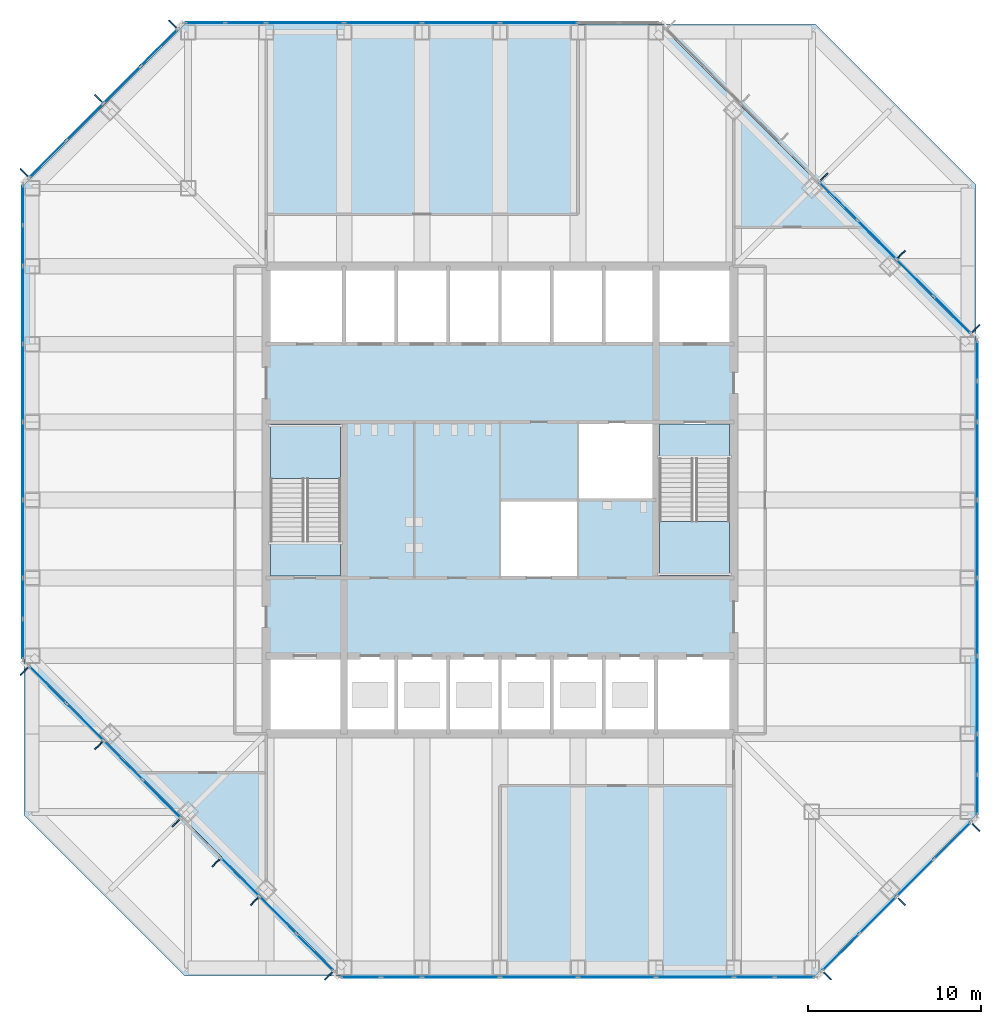
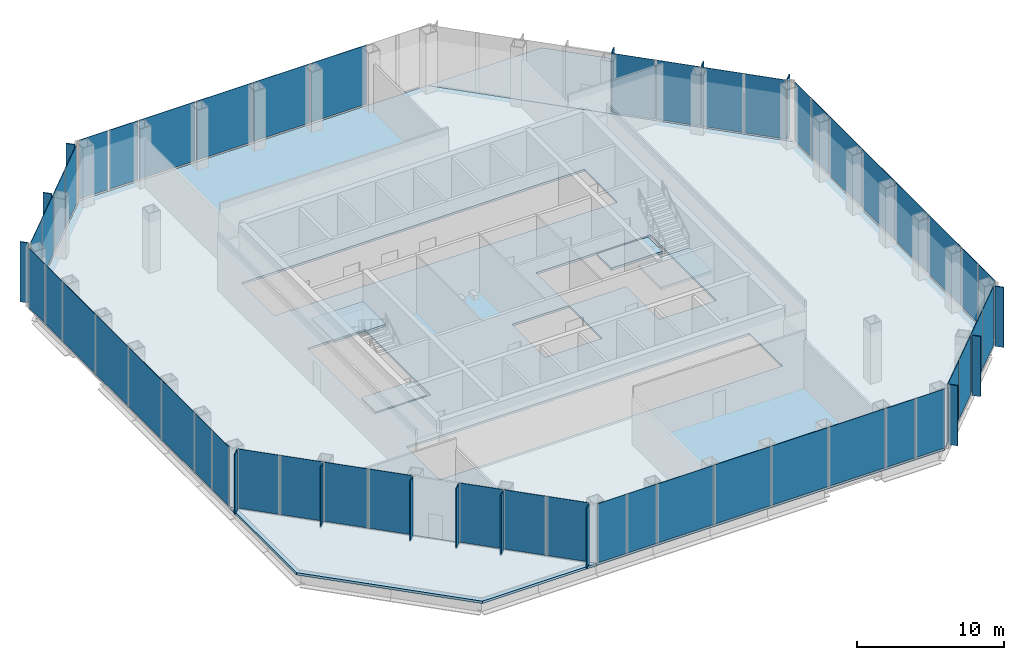
# One storey, part 6 of 12: 64 plates, 7 slabs, 11 elements without a shape of their own.
"""IFC4 building model written with IfcOpenShell, lengths in metres."""

from ifc_helpers import new_model, si_unit, direction, frame, origin, origin_2d, place, context, subcontext, project, spatial, polyline, rectangle, outline, extrude, material, layer, layer_set, type_object, element, aggregate, save


model = new_model("IFC4")

# Units and contexts
model_context = context("Model", 3, precision=1e-05, world=origin(), true_north=direction((0.0, 1.0)))
body_context = subcontext(model_context, "Body", "Model", "MODEL_VIEW")
ifc_project = project(units=[si_unit("LENGTHUNIT", "METRE"), si_unit("AREAUNIT", "SQUARE_METRE"), si_unit("VOLUMEUNIT", "CUBIC_METRE"), si_unit("PLANEANGLEUNIT", "RADIAN"), si_unit("MASSUNIT", "GRAM", prefix="KILO")], contexts=[model_context])

# Site, building, storey
site_placement = place(None, origin())
site = spatial("IfcSite", under=ifc_project, at=site_placement, CompositionType="ELEMENT")
building_placement = place(site_placement, origin())
building = spatial("IfcBuilding", under=site, at=building_placement, Name="Corais Broadcast Tower", CompositionType="ELEMENT")
storey_placement = place(building_placement, frame((0.0, 0.0, 110.60009765625)))
storey = spatial("IfcBuildingStorey", under=building, at=storey_placement, Name="L24", CompositionType="ELEMENT", Elevation=110.60009765625)

# Slab
ifc_material_1 = material(Name="Concrete C30/37", Category="concrete")
ifc_layer_1 = layer(ifc_material_1, 0.179931640625)
ifc_layer_set_1 = layer_set([ifc_layer_1], Name="Concrete C30/37")
slab_type_1 = type_object("IfcSlabType", Name="Composite floor slab 180", PredefinedType="FLOOR", material=ifc_layer_set_1)
slab_1_placement = place(storey_placement, frame((0.0, 0.0, -0.18017578125)))
element("IfcSlab", 1, at=slab_1_placement, inside=storey, type_object=slab_type_1, Name="S180 floor slab L24", PredefinedType="FLOOR", context=body_context, shape_type="SweptSolid", body=[
    extrude(outline(polyline([(17.80126953125, -0.47998046875), (-0.47998046875, 17.80126953125), (-0.47998046875, 45.19873046875), (8.80126953125, 54.47998046875), (36.19873046875, 54.47998046875), (54.47998046875, 36.19873046875), (54.47998046875, 8.80126953125), (45.19873046875, -0.47998046875), (17.80126953125, -0.47998046875)]), holes=[polyline([(13.5, 18.0), (40.5, 18.0), (40.5, 13.5), (13.5, 13.5), (13.5, 18.0)]), polyline([(13.5, 22.5), (13.5, 31.5), (18.0, 31.5), (18.0, 22.5), (13.5, 22.5)]), polyline([(13.5, 40.5), (40.5, 40.5), (40.5, 36.0), (13.5, 36.0), (13.5, 40.5)]), polyline([(27.0, 22.5), (27.0, 27.0), (31.4951171875, 27.0), (31.4951171875, 27.0048828125), (31.5, 27.0048828125), (31.5, 31.5), (40.5, 31.5), (40.5, 22.5), (36.0, 22.5), (36.0, 27.0), (31.5048828125, 27.0), (31.5048828125, 26.9951171875), (31.5, 26.9951171875), (31.5, 22.5), (27.0, 22.5)])]), origin(), (0.0, 0.0, 1.0), 0.18017578125),
])

# Curtain wall, plates
ifc_material_2 = material(Name="Aluminium and glass", Category="aluminium")
curtain_wall_type = type_object("IfcCurtainWallType", Name="Sky lobby curtain wall CW4", PredefinedType="NOTDEFINED", material=ifc_material_2)
curtain_wall_1_placement = place(storey_placement, origin())
curtain_wall_1 = element("IfcCurtainWall", 2, at=curtain_wall_1_placement, inside=storey, type_object=curtain_wall_type, Name="CW4 curtain wall L24 1", PredefinedType="NOTDEFINED")
ifc_material_3 = material(Name="Ceramic-fritted laminated glass", Category="glass")
ifc_layer_2 = layer(ifc_material_3, 0.035888671875)
ifc_layer_set_2 = layer_set([ifc_layer_2], Name="Ceramic-fritted laminated glass")
plate_type_1 = type_object("IfcPlateType", Name="Fritted glass panel CW4", PredefinedType="CURTAIN_PANEL", material=ifc_layer_set_2)
plate_1_placement = place(storey_placement, frame((16.32763671875, 0.89453125, 0.079833984375), z_axis=(0.0, 0.0, 1.0), x_axis=(-0.707106781187, 0.707106781187, 0.0)))
plate_1 = element("IfcPlate", 3, at=plate_1_placement, type_object=plate_type_1, Name="CW4 panel 1", PredefinedType="CURTAIN_PANEL", context=body_context, shape_type="SweptSolid", body=[
    extrude(rectangle(XDim=2.92578125, YDim=0.035888671875, at=origin_2d()), origin(), (0.0, 0.0, 1.0), 4.919921875),
])
plate_2_placement = place(storey_placement, frame((12.000244140625, 5.221923828125, 0.079833984375), z_axis=(0.0, 0.0, 1.0), x_axis=(-0.707106781187, 0.707106781187, 0.0)))
plate_2 = element("IfcPlate", 4, at=plate_2_placement, type_object=plate_type_1, Name="CW4 panel 3", PredefinedType="CURTAIN_PANEL", context=body_context, shape_type="SweptSolid", body=[
    extrude(rectangle(XDim=3.06201171875, YDim=0.035888671875, at=origin_2d()), origin(), (0.0, 0.0, 1.0), 4.919921875),
])

curtain_wall_2_placement = place(storey_placement, origin())
curtain_wall_2 = element("IfcCurtainWall", 5, at=curtain_wall_2_placement, inside=storey, type_object=curtain_wall_type, Name="CW4 curtain wall L24 1", PredefinedType="NOTDEFINED")
plate_3_placement = place(storey_placement, frame((7.471923828125, 9.750244140625, 0.079833984375), z_axis=(0.0, 0.0, 1.0), x_axis=(-0.707106781187, 0.707106781187, 0.0)))
plate_3 = element("IfcPlate", 6, at=plate_3_placement, type_object=plate_type_1, Name="CW4 panel 1", PredefinedType="CURTAIN_PANEL", context=body_context, shape_type="SweptSolid", body=[
    extrude(rectangle(XDim=3.06201171875, YDim=0.035888671875, at=origin_2d()), origin(), (0.0, 0.0, 1.0), 4.919921875),
])
plate_4_placement = place(storey_placement, frame((3.0341796875, 14.18798828125, 0.079833984375), z_axis=(0.0, 0.0, 1.0), x_axis=(-0.707106781187, 0.707106781187, 0.0)))
plate_4 = element("IfcPlate", 7, at=plate_4_placement, type_object=plate_type_1, Name="CW4 panel 3", PredefinedType="CURTAIN_PANEL", context=body_context, shape_type="SweptSolid", body=[
    extrude(rectangle(XDim=2.9658203125, YDim=0.035888671875, at=origin_2d()), origin(), (0.0, 0.0, 1.0), 4.919921875),
])

curtain_wall_3_placement = place(storey_placement, origin())
curtain_wall_3 = element("IfcCurtainWall", 8, at=curtain_wall_3_placement, inside=storey, type_object=curtain_wall_type, Name="CW4 curtain wall L24 2", PredefinedType="NOTDEFINED")
plate_5_placement = place(storey_placement, frame((-0.550048828125, 18.97412109375, 0.079833984375), z_axis=(0.0, 0.0, 1.0), x_axis=(0.0, 1.0, 0.0)))
plate_5 = element("IfcPlate", 9, at=plate_5_placement, type_object=plate_type_1, Name="CW4 panel 1", PredefinedType="CURTAIN_PANEL", context=body_context, shape_type="SweptSolid", body=[
    extrude(rectangle(XDim=2.243896484375, YDim=0.035888671875, at=origin_2d()), origin(), (0.0, 0.0, 1.0), 4.919921875),
])
plate_6_placement = place(storey_placement, frame((-0.550048828125, 24.75, 0.079833984375), z_axis=(0.0, 0.0, 1.0), x_axis=(0.0, 1.0, 0.0)))
plate_6 = element("IfcPlate", 10, at=plate_6_placement, type_object=plate_type_1, Name="CW4 panel 3", PredefinedType="CURTAIN_PANEL", context=body_context, shape_type="SweptSolid", body=[
    extrude(rectangle(XDim=4.419921875, YDim=0.035888671875, at=origin_2d()), origin(), (0.0, 0.0, 1.0), 4.919921875),
])
plate_7_placement = place(storey_placement, frame((-0.550048828125, 33.75, 0.079833984375), z_axis=(0.0, 0.0, 1.0), x_axis=(0.0, 1.0, 0.0)))
plate_7 = element("IfcPlate", 11, at=plate_7_placement, type_object=plate_type_1, Name="CW4 panel 5", PredefinedType="CURTAIN_PANEL", context=body_context, shape_type="SweptSolid", body=[
    extrude(rectangle(XDim=4.419921875, YDim=0.035888671875, at=origin_2d()), origin(), (0.0, 0.0, 1.0), 4.919921875),
])
plate_8_placement = place(storey_placement, frame((-0.550048828125, 41.681884765625, 0.079833984375), z_axis=(0.0, 0.0, 1.0), x_axis=(0.0, 1.0, 0.0)))
plate_8 = element("IfcPlate", 12, at=plate_8_placement, type_object=plate_type_1, Name="CW4 panel 7", PredefinedType="CURTAIN_PANEL", context=body_context, shape_type="SweptSolid", body=[
    extrude(rectangle(XDim=2.283935546875, YDim=0.035888671875, at=origin_2d()), origin(), (0.0, 0.0, 1.0), 4.919921875),
])

curtain_wall_4_placement = place(storey_placement, origin())
curtain_wall_4 = element("IfcCurtainWall", 13, at=curtain_wall_4_placement, inside=storey, type_object=curtain_wall_type, Name="CW4 curtain wall L24 3", PredefinedType="NOTDEFINED")
plate_9_placement = place(storey_placement, frame((0.89453125, 46.67236328125, 0.079833984375), z_axis=(0.0, 0.0, 1.0), x_axis=(0.707106781187, 0.707106781187, 0.0)))
plate_9 = element("IfcPlate", 14, at=plate_9_placement, type_object=plate_type_1, Name="CW4 panel 1", PredefinedType="CURTAIN_PANEL", context=body_context, shape_type="SweptSolid", body=[
    extrude(rectangle(XDim=2.92578125, YDim=0.035888671875, at=origin_2d()), origin(), (0.0, 0.0, 1.0), 4.919921875),
])
plate_10_placement = place(storey_placement, frame((5.18798828125, 50.9658203125, 0.079833984375), z_axis=(0.0, 0.0, 1.0), x_axis=(0.707106781187, 0.707106781187, 0.0)))
plate_10 = element("IfcPlate", 15, at=plate_10_placement, type_object=plate_type_1, Name="CW4 panel 3", PredefinedType="CURTAIN_PANEL", context=body_context, shape_type="SweptSolid", body=[
    extrude(rectangle(XDim=2.9658203125, YDim=0.035888671875, at=origin_2d()), origin(), (0.0, 0.0, 1.0), 4.919921875),
])

curtain_wall_5_placement = place(storey_placement, origin())
curtain_wall_5 = element("IfcCurtainWall", 16, at=curtain_wall_5_placement, inside=storey, type_object=curtain_wall_type, Name="CW4 curtain wall L24 4", PredefinedType="NOTDEFINED")
plate_11_placement = place(storey_placement, frame((9.97412109375, 54.550048828125, 0.079833984375), z_axis=(0.0, 0.0, 1.0), x_axis=(1.0, 0.0, 0.0)))
plate_11 = element("IfcPlate", 17, at=plate_11_placement, type_object=plate_type_1, Name="CW4 panel 1", PredefinedType="CURTAIN_PANEL", context=body_context, shape_type="SweptSolid", body=[
    extrude(rectangle(XDim=2.243896484375, YDim=0.035888671875, at=origin_2d()), origin(), (0.0, 0.0, 1.0), 4.919921875),
])
plate_12_placement = place(storey_placement, frame((15.75, 54.550048828125, 0.079833984375), z_axis=(0.0, 0.0, 1.0), x_axis=(1.0, 0.0, 0.0)))
plate_12 = element("IfcPlate", 18, at=plate_12_placement, type_object=plate_type_1, Name="CW4 panel 3", PredefinedType="CURTAIN_PANEL", context=body_context, shape_type="SweptSolid", body=[
    extrude(rectangle(XDim=4.419921875, YDim=0.035888671875, at=origin_2d()), origin(), (0.0, 0.0, 1.0), 4.919921875),
])
plate_13_placement = place(storey_placement, frame((24.75, 54.550048828125, 0.079833984375), z_axis=(0.0, 0.0, 1.0), x_axis=(1.0, 0.0, 0.0)))
plate_13 = element("IfcPlate", 19, at=plate_13_placement, type_object=plate_type_1, Name="CW4 panel 5", PredefinedType="CURTAIN_PANEL", context=body_context, shape_type="SweptSolid", body=[
    extrude(rectangle(XDim=4.419921875, YDim=0.035888671875, at=origin_2d()), origin(), (0.0, 0.0, 1.0), 4.919921875),
])

curtain_wall_6_placement = place(storey_placement, origin())
curtain_wall_6 = element("IfcCurtainWall", 20, at=curtain_wall_6_placement, inside=storey, type_object=curtain_wall_type, Name="CW4 curtain wall L24 5", PredefinedType="NOTDEFINED")
plate_14_placement = place(storey_placement, frame((46.528076171875, 44.249755859375, 0.079833984375), z_axis=(0.0, 0.0, 1.0), x_axis=(0.707106781187, -0.707106781187, 0.0)))
plate_14 = element("IfcPlate", 21, at=plate_14_placement, type_object=plate_type_1, Name="CW4 panel 1", PredefinedType="CURTAIN_PANEL", context=body_context, shape_type="SweptSolid", body=[
    extrude(rectangle(XDim=3.06201171875, YDim=0.035888671875, at=origin_2d()), origin(), (0.0, 0.0, 1.0), 4.919921875),
])
plate_15_placement = place(storey_placement, frame((50.9658203125, 39.81201171875, 0.079833984375), z_axis=(0.0, 0.0, 1.0), x_axis=(0.707106781187, -0.707106781187, 0.0)))
plate_15 = element("IfcPlate", 22, at=plate_15_placement, type_object=plate_type_1, Name="CW4 panel 3", PredefinedType="CURTAIN_PANEL", context=body_context, shape_type="SweptSolid", body=[
    extrude(rectangle(XDim=2.9658203125, YDim=0.035888671875, at=origin_2d()), origin(), (0.0, 0.0, 1.0), 4.919921875),
])

curtain_wall_7_placement = place(storey_placement, origin())
curtain_wall_7 = element("IfcCurtainWall", 23, at=curtain_wall_7_placement, inside=storey, type_object=curtain_wall_type, Name="CW4 curtain wall L24 6", PredefinedType="NOTDEFINED")
plate_16_placement = place(storey_placement, frame((54.550048828125, 35.02587890625, 0.079833984375), z_axis=(0.0, 0.0, 1.0), x_axis=(0.0, -1.0, 0.0)))
plate_16 = element("IfcPlate", 24, at=plate_16_placement, type_object=plate_type_1, Name="CW4 panel 1", PredefinedType="CURTAIN_PANEL", context=body_context, shape_type="SweptSolid", body=[
    extrude(rectangle(XDim=2.243896484375, YDim=0.035888671875, at=origin_2d()), origin(), (0.0, 0.0, 1.0), 4.919921875),
])
plate_17_placement = place(storey_placement, frame((54.550048828125, 29.25, 0.079833984375), z_axis=(0.0, 0.0, 1.0), x_axis=(0.0, -1.0, 0.0)))
plate_17 = element("IfcPlate", 25, at=plate_17_placement, type_object=plate_type_1, Name="CW4 panel 3", PredefinedType="CURTAIN_PANEL", context=body_context, shape_type="SweptSolid", body=[
    extrude(rectangle(XDim=4.419921875, YDim=0.035888671875, at=origin_2d()), origin(), (0.0, 0.0, 1.0), 4.919921875),
])
plate_18_placement = place(storey_placement, frame((54.550048828125, 20.25, 0.079833984375), z_axis=(0.0, 0.0, 1.0), x_axis=(0.0, -1.0, 0.0)))
plate_18 = element("IfcPlate", 26, at=plate_18_placement, type_object=plate_type_1, Name="CW4 panel 5", PredefinedType="CURTAIN_PANEL", context=body_context, shape_type="SweptSolid", body=[
    extrude(rectangle(XDim=4.419921875, YDim=0.035888671875, at=origin_2d()), origin(), (0.0, 0.0, 1.0), 4.919921875),
])
plate_19_placement = place(storey_placement, frame((54.550048828125, 12.318115234375, 0.079833984375), z_axis=(0.0, 0.0, 1.0), x_axis=(0.0, -1.0, 0.0)))
plate_19 = element("IfcPlate", 27, at=plate_19_placement, type_object=plate_type_1, Name="CW4 panel 7", PredefinedType="CURTAIN_PANEL", context=body_context, shape_type="SweptSolid", body=[
    extrude(rectangle(XDim=2.283935546875, YDim=0.035888671875, at=origin_2d()), origin(), (0.0, 0.0, 1.0), 4.919921875),
])

curtain_wall_8_placement = place(storey_placement, origin())
curtain_wall_8 = element("IfcCurtainWall", 28, at=curtain_wall_8_placement, inside=storey, type_object=curtain_wall_type, Name="CW4 curtain wall L24 7", PredefinedType="NOTDEFINED")
plate_20_placement = place(storey_placement, frame((53.10546875, 7.32763671875, 0.079833984375), z_axis=(0.0, 0.0, 1.0), x_axis=(-0.707106781187, -0.707106781187, 0.0)))
plate_20 = element("IfcPlate", 29, at=plate_20_placement, type_object=plate_type_1, Name="CW4 panel 1", PredefinedType="CURTAIN_PANEL", context=body_context, shape_type="SweptSolid", body=[
    extrude(rectangle(XDim=2.92578125, YDim=0.035888671875, at=origin_2d()), origin(), (0.0, 0.0, 1.0), 4.919921875),
])
plate_21_placement = place(storey_placement, frame((48.81201171875, 3.0341796875, 0.079833984375), z_axis=(0.0, 0.0, 1.0), x_axis=(-0.707106781187, -0.707106781187, 0.0)))
plate_21 = element("IfcPlate", 30, at=plate_21_placement, type_object=plate_type_1, Name="CW4 panel 3", PredefinedType="CURTAIN_PANEL", context=body_context, shape_type="SweptSolid", body=[
    extrude(rectangle(XDim=2.9658203125, YDim=0.035888671875, at=origin_2d()), origin(), (0.0, 0.0, 1.0), 4.919921875),
])

curtain_wall_9_placement = place(storey_placement, origin())
curtain_wall_9 = element("IfcCurtainWall", 31, at=curtain_wall_9_placement, inside=storey, type_object=curtain_wall_type, Name="CW4 curtain wall L24 8", PredefinedType="NOTDEFINED")
plate_22_placement = place(storey_placement, frame((44.02587890625, -0.550048828125, 0.079833984375), z_axis=(0.0, 0.0, 1.0), x_axis=(-1.0, 0.0, 0.0)))
plate_22 = element("IfcPlate", 32, at=plate_22_placement, type_object=plate_type_1, Name="CW4 panel 1", PredefinedType="CURTAIN_PANEL", context=body_context, shape_type="SweptSolid", body=[
    extrude(rectangle(XDim=2.243896484375, YDim=0.035888671875, at=origin_2d()), origin(), (0.0, 0.0, 1.0), 4.919921875),
])
plate_23_placement = place(storey_placement, frame((38.25, -0.550048828125, 0.079833984375), z_axis=(0.0, 0.0, 1.0), x_axis=(-1.0, 0.0, 0.0)))
plate_23 = element("IfcPlate", 33, at=plate_23_placement, type_object=plate_type_1, Name="CW4 panel 3", PredefinedType="CURTAIN_PANEL", context=body_context, shape_type="SweptSolid", body=[
    extrude(rectangle(XDim=4.419921875, YDim=0.035888671875, at=origin_2d()), origin(), (0.0, 0.0, 1.0), 4.919921875),
])
plate_24_placement = place(storey_placement, frame((29.25, -0.550048828125, 0.079833984375), z_axis=(0.0, 0.0, 1.0), x_axis=(-1.0, 0.0, 0.0)))
plate_24 = element("IfcPlate", 34, at=plate_24_placement, type_object=plate_type_1, Name="CW4 panel 5", PredefinedType="CURTAIN_PANEL", context=body_context, shape_type="SweptSolid", body=[
    extrude(rectangle(XDim=4.419921875, YDim=0.035888671875, at=origin_2d()), origin(), (0.0, 0.0, 1.0), 4.919921875),
])
plate_25_placement = place(storey_placement, frame((21.318115234375, -0.550048828125, 0.079833984375), z_axis=(0.0, 0.0, 1.0), x_axis=(-1.0, 0.0, 0.0)))
plate_25 = element("IfcPlate", 35, at=plate_25_placement, type_object=plate_type_1, Name="CW4 panel 7", PredefinedType="CURTAIN_PANEL", context=body_context, shape_type="SweptSolid", body=[
    extrude(rectangle(XDim=2.283935546875, YDim=0.035888671875, at=origin_2d()), origin(), (0.0, 0.0, 1.0), 4.919921875),
])

# Plate
ifc_material_4 = material(Name="Clear laminated glass", Category="glass")
ifc_layer_3 = layer(ifc_material_4, 0.0400390625)
ifc_layer_set_3 = layer_set([ifc_layer_3], Name="Clear laminated glass")
plate_type_2 = type_object("IfcPlateType", Name="Operable glass panel CW4", PredefinedType="CURTAIN_PANEL", material=ifc_layer_set_3)
plate_26_placement = place(storey_placement, frame((14.18798828125, 3.0341796875, 0.079833984375), z_axis=(0.0, 0.0, 1.0), x_axis=(-0.707106781187, 0.707106781187, 0.0)))
plate_26 = element("IfcPlate", 36, at=plate_26_placement, type_object=plate_type_2, Name="CW4 operable panel 2", PredefinedType="CURTAIN_PANEL", context=body_context, shape_type="SweptSolid", body=[
    extrude(rectangle(XDim=2.9658203125, YDim=0.0400390625, at=origin_2d()), origin(), (0.0, 0.0, 1.0), 4.919921875),
])

aggregate(curtain_wall_1, [plate_1, plate_26, plate_2])

plate_27_placement = place(storey_placement, frame((5.236083984375, 11.986083984375, 0.079833984375), z_axis=(0.0, 0.0, 1.0), x_axis=(-0.707106781187, 0.707106781187, 0.0)))
plate_27 = element("IfcPlate", 37, at=plate_27_placement, type_object=plate_type_2, Name="CW4 operable panel 2", PredefinedType="CURTAIN_PANEL", context=body_context, shape_type="SweptSolid", body=[
    extrude(rectangle(XDim=3.10205078125, YDim=0.0400390625, at=origin_2d()), origin(), (0.0, 0.0, 1.0), 4.919921875),
])

plate_28_placement = place(storey_placement, frame((0.89453125, 16.32763671875, 0.079833984375), z_axis=(0.0, 0.0, 1.0), x_axis=(-0.707106781187, 0.707106781187, 0.0)))
plate_28 = element("IfcPlate", 38, at=plate_28_placement, type_object=plate_type_2, Name="CW4 operable panel 4", PredefinedType="CURTAIN_PANEL", context=body_context, shape_type="SweptSolid", body=[
    extrude(rectangle(XDim=2.92578125, YDim=0.0400390625, at=origin_2d()), origin(), (0.0, 0.0, 1.0), 4.919921875),
])

aggregate(curtain_wall_2, [plate_3, plate_27, plate_4, plate_28])

plate_29_placement = place(storey_placement, frame((-0.550048828125, 21.318115234375, 0.079833984375), z_axis=(0.0, 0.0, 1.0), x_axis=(0.0, 1.0, 0.0)))
plate_29 = element("IfcPlate", 39, at=plate_29_placement, type_object=plate_type_2, Name="CW4 operable panel 2", PredefinedType="CURTAIN_PANEL", context=body_context, shape_type="SweptSolid", body=[
    extrude(rectangle(XDim=2.283935546875, YDim=0.0400390625, at=origin_2d()), origin(), (0.0, 0.0, 1.0), 4.919921875),
])

plate_30_placement = place(storey_placement, frame((-0.550048828125, 29.25, 0.079833984375), z_axis=(0.0, 0.0, 1.0), x_axis=(0.0, 1.0, 0.0)))
plate_30 = element("IfcPlate", 40, at=plate_30_placement, type_object=plate_type_2, Name="CW4 operable panel 4", PredefinedType="CURTAIN_PANEL", context=body_context, shape_type="SweptSolid", body=[
    extrude(rectangle(XDim=4.419921875, YDim=0.0400390625, at=origin_2d()), origin(), (0.0, 0.0, 1.0), 4.919921875),
])

plate_31_placement = place(storey_placement, frame((-0.550048828125, 38.25, 0.079833984375), z_axis=(0.0, 0.0, 1.0), x_axis=(0.0, 1.0, 0.0)))
plate_31 = element("IfcPlate", 41, at=plate_31_placement, type_object=plate_type_2, Name="CW4 operable panel 6", PredefinedType="CURTAIN_PANEL", context=body_context, shape_type="SweptSolid", body=[
    extrude(rectangle(XDim=4.419921875, YDim=0.0400390625, at=origin_2d()), origin(), (0.0, 0.0, 1.0), 4.919921875),
])

plate_32_placement = place(storey_placement, frame((-0.550048828125, 44.02587890625, 0.079833984375), z_axis=(0.0, 0.0, 1.0), x_axis=(0.0, 1.0, 0.0)))
plate_32 = element("IfcPlate", 42, at=plate_32_placement, type_object=plate_type_2, Name="CW4 operable panel 8", PredefinedType="CURTAIN_PANEL", context=body_context, shape_type="SweptSolid", body=[
    extrude(rectangle(XDim=2.243896484375, YDim=0.0400390625, at=origin_2d()), origin(), (0.0, 0.0, 1.0), 4.919921875),
])

aggregate(curtain_wall_3, [plate_5, plate_29, plate_6, plate_30, plate_7, plate_31, plate_8, plate_32])

plate_33_placement = place(storey_placement, frame((3.0341796875, 48.81201171875, 0.079833984375), z_axis=(0.0, 0.0, 1.0), x_axis=(0.707106781187, 0.707106781187, 0.0)))
plate_33 = element("IfcPlate", 43, at=plate_33_placement, type_object=plate_type_2, Name="CW4 operable panel 2", PredefinedType="CURTAIN_PANEL", context=body_context, shape_type="SweptSolid", body=[
    extrude(rectangle(XDim=2.9658203125, YDim=0.0400390625, at=origin_2d()), origin(), (0.0, 0.0, 1.0), 4.919921875),
])

plate_34_placement = place(storey_placement, frame((7.32763671875, 53.10546875, 0.079833984375), z_axis=(0.0, 0.0, 1.0), x_axis=(0.707106781187, 0.707106781187, 0.0)))
plate_34 = element("IfcPlate", 44, at=plate_34_placement, type_object=plate_type_2, Name="CW4 operable panel 4", PredefinedType="CURTAIN_PANEL", context=body_context, shape_type="SweptSolid", body=[
    extrude(rectangle(XDim=2.92578125, YDim=0.0400390625, at=origin_2d()), origin(), (0.0, 0.0, 1.0), 4.919921875),
])

aggregate(curtain_wall_4, [plate_9, plate_33, plate_10, plate_34])

plate_35_placement = place(storey_placement, frame((12.318115234375, 54.550048828125, 0.079833984375), z_axis=(0.0, 0.0, 1.0), x_axis=(1.0, 0.0, 0.0)))
plate_35 = element("IfcPlate", 45, at=plate_35_placement, type_object=plate_type_2, Name="CW4 operable panel 2", PredefinedType="CURTAIN_PANEL", context=body_context, shape_type="SweptSolid", body=[
    extrude(rectangle(XDim=2.283935546875, YDim=0.0400390625, at=origin_2d()), origin(), (0.0, 0.0, 1.0), 4.919921875),
])

plate_36_placement = place(storey_placement, frame((20.25, 54.550048828125, 0.079833984375), z_axis=(0.0, 0.0, 1.0), x_axis=(1.0, 0.0, 0.0)))
plate_36 = element("IfcPlate", 46, at=plate_36_placement, type_object=plate_type_2, Name="CW4 operable panel 4", PredefinedType="CURTAIN_PANEL", context=body_context, shape_type="SweptSolid", body=[
    extrude(rectangle(XDim=4.419921875, YDim=0.0400390625, at=origin_2d()), origin(), (0.0, 0.0, 1.0), 4.919921875),
])

plate_37_placement = place(storey_placement, frame((29.25, 54.550048828125, 0.079833984375), z_axis=(0.0, 0.0, 1.0), x_axis=(1.0, 0.0, 0.0)))
plate_37 = element("IfcPlate", 47, at=plate_37_placement, type_object=plate_type_2, Name="CW4 operable panel 6", PredefinedType="CURTAIN_PANEL", context=body_context, shape_type="SweptSolid", body=[
    extrude(rectangle(XDim=4.419921875, YDim=0.0400390625, at=origin_2d()), origin(), (0.0, 0.0, 1.0), 4.919921875),
])

aggregate(curtain_wall_5, [plate_11, plate_35, plate_12, plate_36, plate_13, plate_37])

plate_38_placement = place(storey_placement, frame((48.763916015625, 42.013916015625, 0.079833984375), z_axis=(0.0, 0.0, 1.0), x_axis=(0.707106781187, -0.707106781187, 0.0)))
plate_38 = element("IfcPlate", 48, at=plate_38_placement, type_object=plate_type_2, Name="CW4 operable panel 2", PredefinedType="CURTAIN_PANEL", context=body_context, shape_type="SweptSolid", body=[
    extrude(rectangle(XDim=3.10205078125, YDim=0.0400390625, at=origin_2d()), origin(), (0.0, 0.0, 1.0), 4.919921875),
])

plate_39_placement = place(storey_placement, frame((53.10546875, 37.67236328125, 0.079833984375), z_axis=(0.0, 0.0, 1.0), x_axis=(0.707106781187, -0.707106781187, 0.0)))
plate_39 = element("IfcPlate", 49, at=plate_39_placement, type_object=plate_type_2, Name="CW4 operable panel 4", PredefinedType="CURTAIN_PANEL", context=body_context, shape_type="SweptSolid", body=[
    extrude(rectangle(XDim=2.92578125, YDim=0.0400390625, at=origin_2d()), origin(), (0.0, 0.0, 1.0), 4.919921875),
])

aggregate(curtain_wall_6, [plate_14, plate_38, plate_15, plate_39])

plate_40_placement = place(storey_placement, frame((54.550048828125, 32.681884765625, 0.079833984375), z_axis=(0.0, 0.0, 1.0), x_axis=(0.0, -1.0, 0.0)))
plate_40 = element("IfcPlate", 50, at=plate_40_placement, type_object=plate_type_2, Name="CW4 operable panel 2", PredefinedType="CURTAIN_PANEL", context=body_context, shape_type="SweptSolid", body=[
    extrude(rectangle(XDim=2.283935546875, YDim=0.0400390625, at=origin_2d()), origin(), (0.0, 0.0, 1.0), 4.919921875),
])

plate_41_placement = place(storey_placement, frame((54.550048828125, 24.75, 0.079833984375), z_axis=(0.0, 0.0, 1.0), x_axis=(0.0, -1.0, 0.0)))
plate_41 = element("IfcPlate", 51, at=plate_41_placement, type_object=plate_type_2, Name="CW4 operable panel 4", PredefinedType="CURTAIN_PANEL", context=body_context, shape_type="SweptSolid", body=[
    extrude(rectangle(XDim=4.419921875, YDim=0.0400390625, at=origin_2d()), origin(), (0.0, 0.0, 1.0), 4.919921875),
])

plate_42_placement = place(storey_placement, frame((54.550048828125, 15.75, 0.079833984375), z_axis=(0.0, 0.0, 1.0), x_axis=(0.0, -1.0, 0.0)))
plate_42 = element("IfcPlate", 52, at=plate_42_placement, type_object=plate_type_2, Name="CW4 operable panel 6", PredefinedType="CURTAIN_PANEL", context=body_context, shape_type="SweptSolid", body=[
    extrude(rectangle(XDim=4.419921875, YDim=0.0400390625, at=origin_2d()), origin(), (0.0, 0.0, 1.0), 4.919921875),
])

plate_43_placement = place(storey_placement, frame((54.550048828125, 9.97412109375, 0.079833984375), z_axis=(0.0, 0.0, 1.0), x_axis=(0.0, -1.0, 0.0)))
plate_43 = element("IfcPlate", 53, at=plate_43_placement, type_object=plate_type_2, Name="CW4 operable panel 8", PredefinedType="CURTAIN_PANEL", context=body_context, shape_type="SweptSolid", body=[
    extrude(rectangle(XDim=2.243896484375, YDim=0.0400390625, at=origin_2d()), origin(), (0.0, 0.0, 1.0), 4.919921875),
])

aggregate(curtain_wall_7, [plate_16, plate_40, plate_17, plate_41, plate_18, plate_42, plate_19, plate_43])

plate_44_placement = place(storey_placement, frame((50.9658203125, 5.18798828125, 0.079833984375), z_axis=(0.0, 0.0, 1.0), x_axis=(-0.707106781187, -0.707106781187, 0.0)))
plate_44 = element("IfcPlate", 54, at=plate_44_placement, type_object=plate_type_2, Name="CW4 operable panel 2", PredefinedType="CURTAIN_PANEL", context=body_context, shape_type="SweptSolid", body=[
    extrude(rectangle(XDim=2.9658203125, YDim=0.0400390625, at=origin_2d()), origin(), (0.0, 0.0, 1.0), 4.919921875),
])

plate_45_placement = place(storey_placement, frame((46.67236328125, 0.89453125, 0.079833984375), z_axis=(0.0, 0.0, 1.0), x_axis=(-0.707106781187, -0.707106781187, 0.0)))
plate_45 = element("IfcPlate", 55, at=plate_45_placement, type_object=plate_type_2, Name="CW4 operable panel 4", PredefinedType="CURTAIN_PANEL", context=body_context, shape_type="SweptSolid", body=[
    extrude(rectangle(XDim=2.92578125, YDim=0.0400390625, at=origin_2d()), origin(), (0.0, 0.0, 1.0), 4.919921875),
])

aggregate(curtain_wall_8, [plate_20, plate_44, plate_21, plate_45])

plate_46_placement = place(storey_placement, frame((41.681884765625, -0.550048828125, 0.079833984375), z_axis=(0.0, 0.0, 1.0), x_axis=(-1.0, 0.0, 0.0)))
plate_46 = element("IfcPlate", 56, at=plate_46_placement, type_object=plate_type_2, Name="CW4 operable panel 2", PredefinedType="CURTAIN_PANEL", context=body_context, shape_type="SweptSolid", body=[
    extrude(rectangle(XDim=2.283935546875, YDim=0.0400390625, at=origin_2d()), origin(), (0.0, 0.0, 1.0), 4.919921875),
])

plate_47_placement = place(storey_placement, frame((33.75, -0.550048828125, 0.079833984375), z_axis=(0.0, 0.0, 1.0), x_axis=(-1.0, 0.0, 0.0)))
plate_47 = element("IfcPlate", 57, at=plate_47_placement, type_object=plate_type_2, Name="CW4 operable panel 4", PredefinedType="CURTAIN_PANEL", context=body_context, shape_type="SweptSolid", body=[
    extrude(rectangle(XDim=4.419921875, YDim=0.0400390625, at=origin_2d()), origin(), (0.0, 0.0, 1.0), 4.919921875),
])

plate_48_placement = place(storey_placement, frame((24.75, -0.550048828125, 0.079833984375), z_axis=(0.0, 0.0, 1.0), x_axis=(-1.0, 0.0, 0.0)))
plate_48 = element("IfcPlate", 58, at=plate_48_placement, type_object=plate_type_2, Name="CW4 operable panel 6", PredefinedType="CURTAIN_PANEL", context=body_context, shape_type="SweptSolid", body=[
    extrude(rectangle(XDim=4.419921875, YDim=0.0400390625, at=origin_2d()), origin(), (0.0, 0.0, 1.0), 4.919921875),
])

plate_49_placement = place(storey_placement, frame((18.97412109375, -0.550048828125, 0.079833984375), z_axis=(0.0, 0.0, 1.0), x_axis=(-1.0, 0.0, 0.0)))
plate_49 = element("IfcPlate", 59, at=plate_49_placement, type_object=plate_type_2, Name="CW4 operable panel 8", PredefinedType="CURTAIN_PANEL", context=body_context, shape_type="SweptSolid", body=[
    extrude(rectangle(XDim=2.243896484375, YDim=0.0400390625, at=origin_2d()), origin(), (0.0, 0.0, 1.0), 4.919921875),
])

aggregate(curtain_wall_9, [plate_22, plate_46, plate_23, plate_47, plate_24, plate_48, plate_25, plate_49])

# Slabs
ifc_material_5 = material(Name="Concrete C30/37", Category="concrete")
ifc_layer_4 = layer(ifc_material_5, 0.199951171875)
ifc_layer_set_4 = layer_set([ifc_layer_4], Name="Concrete C30/37")
slab_type_2 = type_object("IfcSlabType", Name="Roof slab 200", PredefinedType="ROOF", material=ifc_layer_set_4)
slab_2_placement = place(storey_placement, frame((0.0, 0.0, -0.2001953125)))
element("IfcSlab", 60, at=slab_2_placement, inside=storey, type_object=slab_type_2, Name="RS1 roof over L23 1, maintenance access only", PredefinedType="ROOF", context=body_context, shape_type="SweptSolid", body=[
    extrude(outline(polyline([(-0.47998046875, 8.80126953125), (-0.47998046875, 17.80126953125), (17.80126953125, -0.47998046875), (8.80126953125, -0.47998046875), (-0.47998046875, 8.80126953125)])), origin(), (0.0, 0.0, 1.0), 0.2001953125),
])
slab_3_placement = place(storey_placement, frame((0.0, 0.0, -0.2001953125)))
element("IfcSlab", 61, at=slab_3_placement, inside=storey, type_object=slab_type_2, Name="RS1 roof over L23 2, maintenance access only", PredefinedType="ROOF", context=body_context, shape_type="SweptSolid", body=[
    extrude(outline(polyline([(45.19873046875, 54.47998046875), (54.47998046875, 45.19873046875), (54.47998046875, 36.19873046875), (36.19873046875, 54.47998046875), (45.19873046875, 54.47998046875)])), origin(), (0.0, 0.0, 1.0), 0.2001953125),
])

# Stair, slabs
ifc_material_6 = material(Name="Concrete C30/37", Category="concrete")
stair_type = type_object("IfcStairType", Name="Half-turn stair 5000", PredefinedType="HALF_TURN_STAIR", material=ifc_material_6)
stair_1_placement = place(storey_placement, origin())
stair_1 = element("IfcStair", 62, at=stair_1_placement, inside=storey, type_object=stair_type, Name="Stair A L24", PredefinedType="HALF_TURN_STAIR")
ifc_material_7 = material(Name="Concrete C30/37", Category="concrete")
ifc_layer_5 = layer(ifc_material_7, 0.199951171875)
ifc_layer_set_5 = layer_set([ifc_layer_5], Name="Concrete C30/37")
slab_type_3 = type_object("IfcSlabType", Name="Stair landing 200", PredefinedType="LANDING", material=ifc_layer_set_5)
slab_4_placement = place(storey_placement, frame((0.0, 0.0, -0.2001953125)))
slab_4 = element("IfcSlab", 63, at=slab_4_placement, type_object=slab_type_3, Name="STA landing 1", PredefinedType="LANDING", context=body_context, shape_type="SweptSolid", body=[
    extrude(outline(polyline([(13.75, 22.625), (17.800048828125, 22.625), (17.800048828125, 24.60009765625), (13.75, 24.60009765625), (13.75, 22.625)])), origin(), (0.0, 0.0, 1.0), 0.2001953125),
])
slab_5_placement = place(storey_placement, frame((0.0, 0.0, 2.2998046875)))
slab_5 = element("IfcSlab", 64, at=slab_5_placement, type_object=slab_type_3, Name="STA landing 2", PredefinedType="LANDING", context=body_context, shape_type="SweptSolid", body=[
    extrude(outline(polyline([(13.75, 28.239990234375), (17.800048828125, 28.239990234375), (17.800048828125, 31.375), (13.75, 31.375), (13.75, 28.239990234375)])), origin(), (0.0, 0.0, 1.0), 0.2001953125),
])
aggregate(stair_1, [slab_4, slab_5])

stair_2_placement = place(storey_placement, origin())
stair_2 = element("IfcStair", 65, at=stair_2_placement, inside=storey, type_object=stair_type, Name="Stair B L24", PredefinedType="HALF_TURN_STAIR")
slab_6_placement = place(storey_placement, frame((0.0, 0.0, -0.2001953125)))
slab_6 = element("IfcSlab", 66, at=slab_6_placement, type_object=slab_type_3, Name="STB landing 1", PredefinedType="LANDING", context=body_context, shape_type="SweptSolid", body=[
    extrude(outline(polyline([(36.199951171875, 29.39990234375), (40.25, 29.39990234375), (40.25, 31.375), (36.199951171875, 31.375), (36.199951171875, 29.39990234375)])), origin(), (0.0, 0.0, 1.0), 0.2001953125),
])
slab_7_placement = place(storey_placement, frame((0.0, 0.0, 2.2998046875)))
slab_7 = element("IfcSlab", 67, at=slab_7_placement, type_object=slab_type_3, Name="STB landing 2", PredefinedType="LANDING", context=body_context, shape_type="SweptSolid", body=[
    extrude(outline(polyline([(36.199951171875, 22.625), (40.25, 22.625), (40.25, 25.760009765625), (36.199951171875, 25.760009765625), (36.199951171875, 22.625)])), origin(), (0.0, 0.0, 1.0), 0.2001953125),
])
aggregate(stair_2, [slab_6, slab_7])

# Plates
ifc_material_8 = material(Name="Granite stone cladding", Category="masonry")
ifc_layer_6 = layer(ifc_material_8, 0.080078125)
ifc_layer_set_6 = layer_set([ifc_layer_6], Name="Granite stone cladding")
plate_type_3 = type_object("IfcPlateType", Name="Stone screen fin 80x600", PredefinedType="USERDEFINED", material=ifc_layer_set_6)
for number, where, z_axis, x_axis, name in (
    (68, (17.091796875, -0.466552734375, 0.0), (0.0, 0.0, 1.0), (-0.707106781187, 0.707106781187, 0.0), "SF1 stone screen fin L24"),
    (69, (12.812744140625, 3.812744140625, 0.0), (0.0, 0.0, 1.0), (-0.707106781187, 0.707106781187, 0.0), "SF1 stone screen fin L24"),
    (70, (10.591064453125, 6.034423828125, 0.0), (0.0, 0.0, 1.0), (-0.707106781187, 0.707106781187, 0.0), "SF1 stone screen fin L24"),
    (71, (8.284423828125, 8.341064453125, 0.0), (0.0, 0.0, 1.0), (-0.707106781187, 0.707106781187, 0.0), "SF1 stone screen fin L24"),
    (72, (3.812744140625, 12.812744140625, 0.0), (0.0, 0.0, 1.0), (-0.707106781187, 0.707106781187, 0.0), "SF1 stone screen fin L24"),
    (73, (-0.466552734375, 17.091796875, 0.0), (0.0, 0.0, 1.0), (-0.707106781187, 0.707106781187, 0.0), "SF1 stone screen fin L24"),
    (74, (-0.466552734375, 45.908203125, 0.0), (0.0, 0.0, 1.0), (0.707106781187, 0.707106781187, 0.0), "SF1 stone screen fin L24"),
    (75, (3.812744140625, 50.187255859375, 0.0), (0.0, 0.0, 1.0), (0.707106781187, 0.707106781187, 0.0), "SF1 stone screen fin L24"),
    (76, (8.091796875, 54.466552734375, 0.0), (0.0, 0.0, 1.0), (0.707106781187, 0.707106781187, 0.0), "SF1 stone screen fin L24"),
    (77, (45.715576171875, 45.658935546875, 0.0), (0.0, 0.0, 1.0), (0.707106781187, -0.707106781187, 0.0), "SF1 stone screen fin L24"),
    (78, (50.187255859375, 41.187255859375, 0.0), (0.0, 0.0, 1.0), (0.707106781187, -0.707106781187, 0.0), "SF1 stone screen fin L24"),
    (79, (54.466552734375, 36.908203125, 0.0), (0.0, 0.0, 1.0), (0.707106781187, -0.707106781187, 0.0), "SF1 stone screen fin L24"),
    (80, (54.466552734375, 8.091796875, 0.0), (0.0, 0.0, 1.0), (-0.707106781187, -0.707106781187, 0.0), "SF1 stone screen fin L24"),
    (81, (50.187255859375, 3.812744140625, 0.0), (0.0, 0.0, 1.0), (-0.707106781187, -0.707106781187, 0.0), "SF1 stone screen fin L24"),
    (82, (45.908203125, -0.466552734375, 0.0), (0.0, 0.0, 1.0), (-0.707106781187, -0.707106781187, 0.0), "SF1 stone screen fin L24"),
):
    element("IfcPlate", number, at=place(storey_placement, frame(where, z_axis=z_axis, x_axis=x_axis)), inside=storey, type_object=plate_type_3, Name=name, ObjectType="STONE SCREEN FIN", PredefinedType="USERDEFINED", context=body_context, shape_type="SweptSolid", body=[
        extrude(rectangle(XDim=0.080078125, YDim=0.60009765625, at=origin_2d()), origin(), (0.0, 0.0, 1.0), 5.0),
    ])

save(model, "model.ifc")
